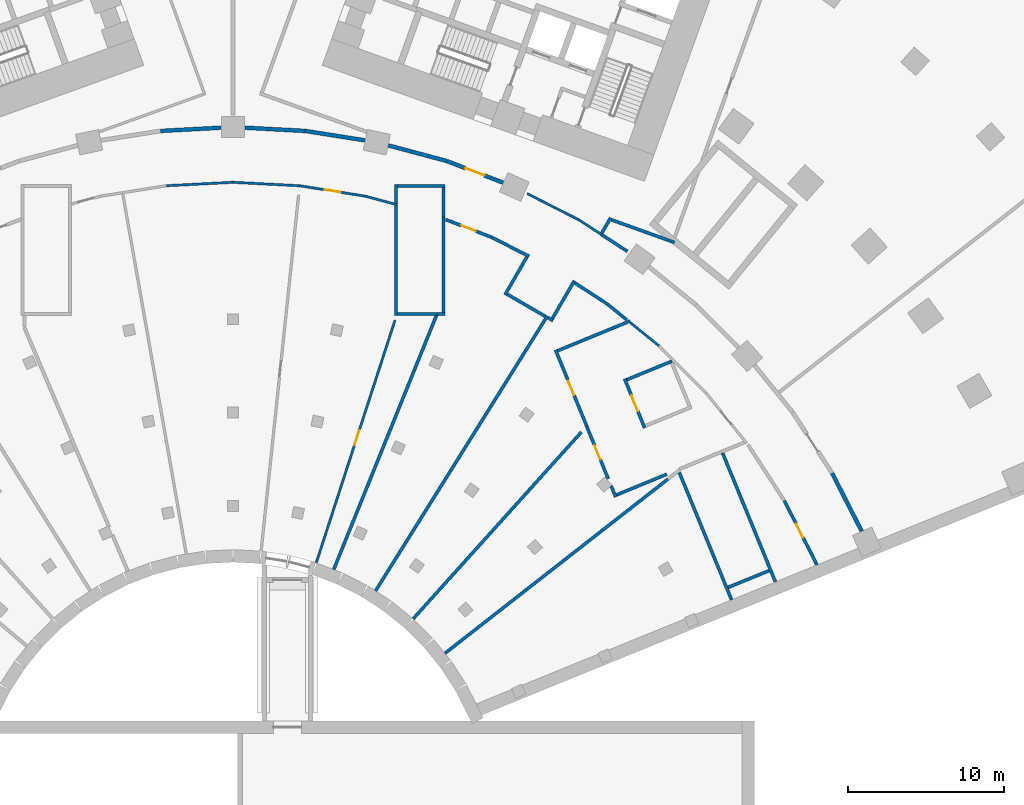
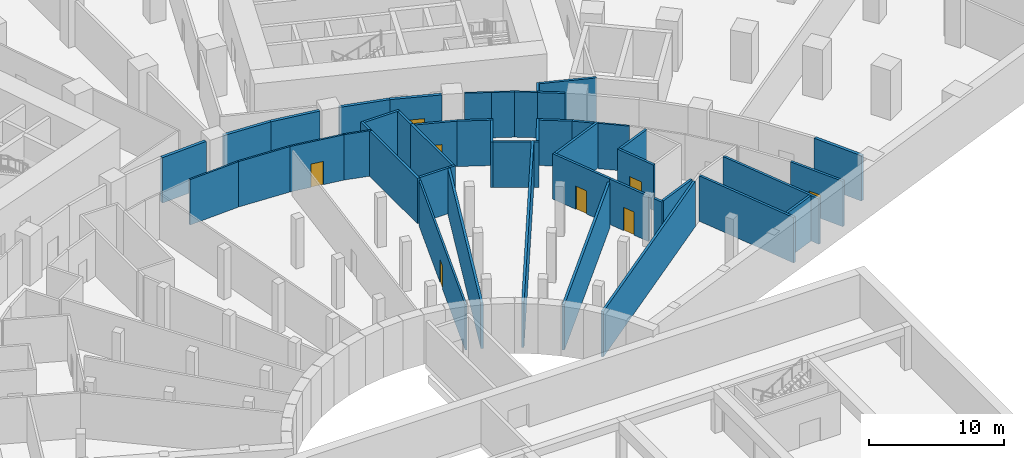
# One storey, part 10 of 23: 48 walls, 8 doors, 8 openings.
"""IFC4 building model written with IfcOpenShell, lengths in metres."""

import ifcopenshell
import ifcopenshell.guid

model = None  # the IFC model being written
_history = None  # IfcOwnerHistory: only IFC2X3 demands one
_inside = {}  # id of a spatial element -> (the spatial element, [elements in it])
_under = {}  # id of a project, library or spatial element -> (it, [spatial elements below it])
_declared = {}  # id of a project -> (the project, [libraries it declares])
_typed = {}  # id of a type object -> (the type object, [elements of that type])
_made_of = {}  # id of a material, layer set ... -> (it, [elements and type objects made of it])


def new_model(schema):
    """Start an empty IFC model of exactly this schema.

    Asked for "IFC4X3", IfcOpenShell would pick the latest addendum, in which some entities
    have other attributes; the version numbers below select the first issue.
    IFC2X3 requires an IfcOwnerHistory on every rooted entity: one is made here for all.
    """
    global model, _history
    if schema == "IFC4X3":
        model = ifcopenshell.file(schema_version=(4, 3, 0, 0))
    else:
        model = ifcopenshell.file(schema=schema)
    _inside.clear()
    _under.clear()
    _declared.clear()
    _typed.clear()
    _made_of.clear()
    _history = None
    if model.schema == "IFC2X3":
        org = make("IfcOrganization", Name="unknown")
        user = make(
            "IfcPersonAndOrganization",
            ThePerson=make("IfcPerson", FamilyName="unknown"),
            TheOrganization=org,
        )
        app = make(
            "IfcApplication",
            ApplicationDeveloper=org,
            Version="unknown",
            ApplicationFullName="unknown",
            ApplicationIdentifier="unknown",
        )
        _history = make(
            "IfcOwnerHistory",
            OwningUser=user,
            OwningApplication=app,
            ChangeAction="ADDED",
            CreationDate=0,
        )
    return model


def make(cls, **values):
    """One entity of the class cls with the attributes given. An attribute that is None is left unset."""
    return model.create_entity(
        cls, **{name: value for name, value in values.items() if value is not None}
    )


def rooted(cls, **values):
    """An entity with a GlobalId (a new one), such as an element, a storey or a relation."""
    return make(cls, GlobalId=ifcopenshell.guid.new(), OwnerHistory=_history, **values)


def si_unit(unit_type, name, prefix=None):
    """IfcSIUnit, for example si_unit("LENGTHUNIT", "METRE", prefix="MILLI")."""
    return make("IfcSIUnit", UnitType=unit_type, Prefix=prefix, Name=name)


def assignment(units):
    """IfcUnitAssignment: the units of a project."""
    return None if units is None else make("IfcUnitAssignment", Units=units)


def point(xyz):
    """IfcCartesianPoint."""
    return None if xyz is None else make("IfcCartesianPoint", Coordinates=xyz)


def direction(xyz):
    """IfcDirection."""
    return None if xyz is None else make("IfcDirection", DirectionRatios=xyz)


def frame(location, z_axis=None, x_axis=None):
    """IfcAxis2Placement3D, a coordinate frame: its origin and axes. An axis left out is left unset."""
    return make(
        "IfcAxis2Placement3D",
        Location=point(location),
        Axis=direction(z_axis),
        RefDirection=direction(x_axis),
    )


def frame_2d(location, x_axis=None):
    """IfcAxis2Placement2D, a coordinate frame in the plane: its origin and x axis."""
    return make(
        "IfcAxis2Placement2D", Location=point(location), RefDirection=direction(x_axis)
    )


def origin():
    """The frame at (0, 0, 0) with its axes left unset."""
    return frame((0.0, 0.0, 0.0))


def place(relative_to, where):
    """IfcLocalPlacement: puts the frame where relative to a parent placement (None: the world)."""
    return make(
        "IfcLocalPlacement", PlacementRelTo=relative_to, RelativePlacement=where
    )


def context(
    kind, dimensions, precision=None, world=None, true_north=None, identifier=None
):
    """IfcGeometricRepresentationContext, for example the 3D "Model" context."""
    return make(
        "IfcGeometricRepresentationContext",
        ContextIdentifier=identifier,
        ContextType=kind,
        CoordinateSpaceDimension=dimensions,
        Precision=precision,
        WorldCoordinateSystem=world,
        TrueNorth=true_north,
    )


def subcontext(parent, identifier, kind, view, scale=None):
    """IfcGeometricRepresentationSubContext, for example "Body" below "Model"."""
    return make(
        "IfcGeometricRepresentationSubContext",
        ContextIdentifier=identifier,
        ContextType=kind,
        ParentContext=parent,
        TargetScale=scale,
        TargetView=view,
    )


def project(units=None, contexts=None):
    """IfcProject with its units and contexts."""
    return rooted(
        "IfcProject",
        Name="project",
        RepresentationContexts=contexts,
        UnitsInContext=assignment(units),
    )


def spatial(cls, under=None, at=None, **own):
    """A site, building, storey or space (cls), placed at a placement, below another one or the project."""
    s = rooted(cls, ObjectPlacement=at, **own)
    if under is not None:
        _under.setdefault(under.id(), (under, []))[1].append(s)
    return s


def profile(cls, at=None, kind="AREA", **sizes):
    """A parametric profile (cls). Its sizes go by their IFC names, for example OverallWidth=200.0."""
    return make(cls, ProfileType=kind, Position=at, **sizes)


def rectangle(**sizes):
    """IfcRectangleProfileDef."""
    return profile("IfcRectangleProfileDef", **sizes)


def extrude(swept, where, along, depth):
    """IfcExtrudedAreaSolid: the profile swept, set in the frame where, extruded along a direction by depth."""
    return make(
        "IfcExtrudedAreaSolid",
        SweptArea=swept,
        Position=where,
        ExtrudedDirection=direction(along),
        Depth=depth,
    )


def shape(context_of_items, identifier, shape_type, items):
    """IfcShapeRepresentation: the items that make up one representation, for example the "Body"."""
    return make(
        "IfcShapeRepresentation",
        ContextOfItems=context_of_items,
        RepresentationIdentifier=identifier,
        RepresentationType=shape_type,
        Items=items,
    )


def material(Name=None, Category=None):
    """IfcMaterial."""
    return make("IfcMaterial", Name=Name, Category=Category)


def layer(
    of_material, thickness, ventilated=None, Name=None, Category=None, Priority=None
):
    """IfcMaterialLayer: one layer of a wall or slab, of a material (None: an air gap)."""
    return make(
        "IfcMaterialLayer",
        Material=of_material,
        LayerThickness=thickness,
        IsVentilated=ventilated,
        Name=Name,
        Category=Category,
        Priority=Priority,
    )


def layer_set(layers, Name=None):
    """IfcMaterialLayerSet."""
    return make("IfcMaterialLayerSet", MaterialLayers=layers, LayerSetName=Name)


def made_of(thing, what):
    """Note that an element or type object is made of a material, layer set ...; save() writes the relation."""
    if what is not None:
        _made_of.setdefault(what.id(), (what, []))[1].append(thing)
    return thing


def type_object(cls, material=None, **own):
    """A type object (cls), such as IfcWallType, which elements share."""
    return made_of(rooted(cls, **own), material)


def element(
    cls,
    number,
    at=None,
    inside=None,
    cuts=None,
    type_object=None,
    material=None,
    context=None,
    identifier="Body",
    shape_type=None,
    held_by="IfcProductDefinitionShape",
    body=None,
    shapes=None,
    **own,
):
    """One element of the class cls, such as IfcWall. Its Tag is "e" and its number.

    at: its placement. inside: the storey or other place that contains it. cuts: it is an
    opening in that element (IfcRelVoidsElement). A single representation is given by context,
    identifier, shape_type and body (its items); several are given by shapes. held_by: the class
    of the entity that holds the representations. save() writes the other relations.
    """
    e = rooted(cls, Tag="e%d" % number, ObjectPlacement=at, **own)
    if body is not None:
        shapes = [shape(context, identifier, shape_type, body)]
    if shapes is not None:
        e.Representation = make(held_by, Representations=shapes)
    if inside is not None:
        _inside.setdefault(inside.id(), (inside, []))[1].append(e)
    if cuts is not None:
        rooted(
            "IfcRelVoidsElement", RelatingBuildingElement=cuts, RelatedOpeningElement=e
        )
    if type_object is not None:
        _typed.setdefault(type_object.id(), (type_object, []))[1].append(e)
    return made_of(e, material)


def fill(opening, filler):
    """IfcRelFillsElement: the door or window that sits in an opening."""
    return rooted(
        "IfcRelFillsElement",
        RelatingOpeningElement=opening,
        RelatedBuildingElement=filler,
    )


def aggregate(whole, parts):
    """IfcRelAggregates: a whole, such as a stair, and the parts it consists of."""
    return rooted("IfcRelAggregates", RelatingObject=whole, RelatedObjects=parts)


def save(model, path):
    """Write the relations noted so far, then the file.

    IfcRelAggregates (storeys below a building ...), IfcRelContainedInSpatialStructure (elements
    in a storey), IfcRelDefinesByType, IfcRelAssociatesMaterial and IfcRelDeclares: one each for
    every whole, place, type object, material and project.
    """
    for whole, parts in _under.values():
        aggregate(whole, parts)
    for where, things in _inside.values():
        rooted(
            "IfcRelContainedInSpatialStructure",
            RelatedElements=things,
            RelatingStructure=where,
        )
    for kind, things in _typed.values():
        rooted("IfcRelDefinesByType", RelatedObjects=things, RelatingType=kind)
    for what, things in _made_of.values():
        rooted("IfcRelAssociatesMaterial", RelatedObjects=things, RelatingMaterial=what)
    for by, libraries in _declared.values():
        rooted("IfcRelDeclares", RelatingContext=by, RelatedDefinitions=libraries)
    model.write(path)


model = new_model("IFC4")

# Units and contexts
model_context = context("Model", 3, precision=1e-05, world=origin(), true_north=direction((0.0, 1.0)))
body_context = subcontext(model_context, "Body", "Model", "MODEL_VIEW")
ifc_project = project(units=[si_unit("LENGTHUNIT", "METRE"), si_unit("AREAUNIT", "SQUARE_METRE"), si_unit("VOLUMEUNIT", "CUBIC_METRE"), si_unit("PLANEANGLEUNIT", "RADIAN"), si_unit("MASSUNIT", "GRAM", prefix="KILO")], contexts=[model_context])

# Site, building, storey
site_placement = place(None, origin())
site = spatial("IfcSite", under=ifc_project, at=site_placement, CompositionType="ELEMENT")
building_placement = place(site_placement, origin())
building = spatial("IfcBuilding", under=site, at=building_placement, Name="Stone Belt Terrace Tower", CompositionType="ELEMENT")
storey_placement = place(building_placement, frame((0.0, 0.0, -4.5)))
storey = spatial("IfcBuildingStorey", under=building, at=storey_placement, Name="B1", CompositionType="ELEMENT", Elevation=-4.5)

# Walls
ifc_material_1 = material(Name="Concrete B30", Category="concrete")
ifc_layer_1 = layer(ifc_material_1, 0.25)
ifc_layer_set_1 = layer_set([ifc_layer_1], Name="Compartment wall 250")
wall_type_1 = type_object("IfcWallType", Name="Compartment wall 250", PredefinedType="SOLIDWALL", material=ifc_layer_set_1)
for number, where, z_axis, x_axis, name in (
    (1, (-4.6435546875, 44.2001953125, 0.0), (0.0, 0.0, 1.0), (0.998555259213, 0.053734479607, 0.0), "Compartment wall B1 9"),
    (2, (0.76904296875, 44.40869140625, 0.0), (0.0, 0.0, 1.0), (0.998555259213, -0.053734479607, 0.0), "Compartment wall B1 11"),
):
    element("IfcWall", number, at=place(storey_placement, frame(where, z_axis=z_axis, x_axis=x_axis)), inside=storey, type_object=wall_type_1, Name=name, PredefinedType="SOLIDWALL", context=body_context, shape_type="SweptSolid", body=[
        extrude(rectangle(XDim=3.880126953125, YDim=0.25, at=frame_2d((1.93994140625, 0.0))), origin(), (0.0, 0.0, 1.0), 4.10009765625),
    ])
wall_1_placement = place(storey_placement, frame((4.656494140625, 44.198974609375, 0.0), z_axis=(0.0, 0.0, 1.0), x_axis=(0.987762453966, -0.155965812071, 0.0)))
element("IfcWall", 3, at=wall_1_placement, inside=storey, type_object=wall_type_1, Name="Compartment wall B1 12", PredefinedType="SOLIDWALL", context=body_context, shape_type="SweptSolid", body=[
    extrude(rectangle(XDim=3.87109375, YDim=0.25, at=frame_2d((1.935546875, 0.0))), origin(), (0.0, 0.0, 1.0), 4.10009765625),
])
wall_2_placement = place(storey_placement, frame((38.492919921875, 22.214111328125, 0.0), z_axis=(0.0, 0.0, 1.0), x_axis=(0.454112038916, -0.890944586443, 0.0)))
element("IfcWall", 4, at=wall_2_placement, inside=storey, type_object=wall_type_1, Name="Compartment wall B1 19", PredefinedType="SOLIDWALL", context=body_context, shape_type="SweptSolid", body=[
    extrude(rectangle(XDim=4.18212890625, YDim=0.25, at=frame_2d((2.091064453125, 0.0))), origin(), (0.0, 0.0, 1.0), 4.10009765625),
])
ifc_material_2 = material(Name="Fire-resistant glazing in steel frame", Category="steel")
ifc_layer_2 = layer(ifc_material_2, 0.25)
ifc_layer_set_2 = layer_set([ifc_layer_2], Name="Glazed compartment fire screen 250")
wall_type_2 = type_object("IfcWallType", Name="Glazed compartment fire screen 250", PredefinedType="PARTITIONING", material=ifc_layer_set_2)
wall_3_placement = place(storey_placement, frame((9.9833984375, 43.271240234375, 0.0), z_axis=(0.0, 0.0, 1.0), x_axis=(0.966098739054, -0.258172861468, 0.0)))
element("IfcWall", 5, at=wall_3_placement, inside=storey, type_object=wall_type_2, Name="Compartment fire screen B1 13", PredefinedType="PARTITIONING", context=body_context, shape_type="SweptSolid", body=[
    extrude(rectangle(XDim=3.87158203125, YDim=0.25, at=frame_2d((1.935791015625, 0.0))), origin(), (0.0, 0.0, 1.0), 4.10009765625),
])

# Wall, opening, door
wall_4_placement = place(storey_placement, frame((13.736083984375, 42.267578125, 0.0), z_axis=(0.0, 0.0, 1.0), x_axis=(0.933580570159, -0.358367575294, 0.0)))
wall_4 = element("IfcWall", 6, at=wall_4_placement, inside=storey, type_object=wall_type_2, Name="Compartment fire screen B1 14", PredefinedType="PARTITIONING", context=body_context, shape_type="SweptSolid", body=[
    extrude(rectangle(XDim=3.8798828125, YDim=0.25, at=frame_2d((1.93994140625, 0.0))), origin(), (0.0, 0.0, 1.0), 4.10009765625),
])
opening_1_placement = place(wall_4_placement, frame((1.289794921875, 0.0, 0.0)))
opening_1 = element("IfcOpeningElement", 7, at=opening_1_placement, cuts=wall_4, Name="Opening B1-P23", PredefinedType="OPENING", context=body_context, shape_type="SweptSolid", body=[
    extrude(rectangle(XDim=1.300048828125, YDim=2.10009765625, at=frame_2d((0.64990234375, 1.050048828125))), frame((0.0, 0.135009765625, 0.0), z_axis=(0.0, -1.0, 0.0), x_axis=(1.0, 0.0, 0.0)), (0.0, 0.0, 1.0), 0.27001953125),
])
ifc_material_3 = material(Name="Steel framed fire door leaf", Category="steel")
door_type_1 = type_object("IfcDoorType", Name="Fire door 1300 x 2100 EI 60", OperationType="SINGLE_SWING_LEFT", PredefinedType="DOOR", material=ifc_material_3)
door_1_placement = place(opening_1_placement, origin())
door_1 = element("IfcDoor", 8, at=door_1_placement, inside=storey, type_object=door_type_1, Name="Fire door 1300 x 2100 EI 60", OperationType="SINGLE_SWING_LEFT", OverallHeight=2.10009765625, OverallWidth=1.300048828125, PredefinedType="DOOR", context=body_context, shape_type="SweptSolid", body=[
    extrude(rectangle(XDim=1.300048828125, YDim=2.10009765625, at=frame_2d((0.64990234375, 1.050048828125))), frame((0.0, 0.02490234375, 0.0), z_axis=(0.0, -1.0, 0.0), x_axis=(1.0, 0.0, 0.0)), (0.0, 0.0, 1.0), 0.050048828125),
])
fill(opening_1, door_1)

# Walls
ifc_material_4 = material(Name="Blockwork wall, plastered both faces", Category="masonry")
ifc_layer_3 = layer(ifc_material_4, 0.199951171875)
ifc_layer_set_3 = layer_set([ifc_layer_3], Name="Podium demising wall 200")
wall_type_3 = type_object("IfcWallType", Name="Podium demising wall 200", PredefinedType="PARTITIONING", material=ifc_layer_set_3)
wall_5_placement = place(storey_placement, frame((6.47216796875, 16.025634765625, 0.0), z_axis=(0.0, 0.0, 1.0), x_axis=(0.374899465367, 0.927065472805, 0.0)))
element("IfcWall", 9, at=wall_5_placement, inside=storey, type_object=wall_type_3, Name="Podium demising wall 200", PredefinedType="PARTITIONING", context=body_context, shape_type="SweptSolid", body=[
    extrude(rectangle(XDim=17.609619140625, YDim=0.199951171875, at=frame_2d((8.8046875, 0.0))), origin(), (0.0, 0.0, 1.0), 4.10009765625),
])
wall_6_placement = place(storey_placement, frame((9.162109375, 14.6533203125, 0.0), z_axis=(0.0, 0.0, 1.0), x_axis=(0.529867261277, 0.848080588993, 0.0)))
element("IfcWall", 10, at=wall_6_placement, inside=storey, type_object=wall_type_3, Name="Podium demising wall 200", PredefinedType="PARTITIONING", context=body_context, shape_type="SweptSolid", body=[
    extrude(rectangle(XDim=20.833251953125, YDim=0.199951171875, at=frame_2d((10.41650390625, 0.0))), origin(), (0.0, 0.0, 1.0), 4.10009765625),
])
wall_7_placement = place(storey_placement, frame((11.576416015625, 12.85595703125, 0.0), z_axis=(0.0, 0.0, 1.0), x_axis=(0.669233682488, 0.743052002368, 0.0)))
element("IfcWall", 11, at=wall_7_placement, inside=storey, type_object=wall_type_3, Name="Podium demising wall 200", PredefinedType="PARTITIONING", context=body_context, shape_type="SweptSolid", body=[
    extrude(rectangle(XDim=16.146240234375, YDim=0.199951171875, at=frame_2d((8.0732421875, 0.0))), origin(), (0.0, 0.0, 1.0), 4.10009765625),
])

# Wall, opening, door
wall_8_placement = place(storey_placement, frame((13.66552734375, 38.5078125, 0.0), z_axis=(0.0, 0.0, 1.0), x_axis=(0.932935786553, -0.360042800467, 0.0)))
wall_8 = element("IfcWall", 12, at=wall_8_placement, inside=storey, type_object=wall_type_3, Name="Podium demising wall 200", PredefinedType="PARTITIONING", context=body_context, shape_type="SweptSolid", body=[
    extrude(rectangle(XDim=3.182861328125, YDim=0.199951171875, at=frame_2d((1.59130859375, 0.0))), origin(), (0.0, 0.0, 1.0), 4.10009765625),
])
opening_2_placement = place(wall_8_placement, frame((1.072509765625, 0.0, 0.0)))
opening_2 = element("IfcOpeningElement", 13, at=opening_2_placement, cuts=wall_8, Name="Opening B1-P10", PredefinedType="OPENING", context=body_context, shape_type="SweptSolid", body=[
    extrude(rectangle(XDim=1.0, YDim=2.10009765625, at=frame_2d((0.5, 1.050048828125))), frame((0.0, 0.10986328125, 0.0), z_axis=(0.0, -1.0, 0.0), x_axis=(1.0, 0.0, 0.0)), (0.0, 0.0, 1.0), 0.219970703125),
])
ifc_material_5 = material(Name="Steel framed door leaf", Category="steel")
door_type_2 = type_object("IfcDoorType", Name="Podium door single 1000", OperationType="SINGLE_SWING_LEFT", PredefinedType="DOOR", material=ifc_material_5)
door_2_placement = place(opening_2_placement, origin())
door_2 = element("IfcDoor", 14, at=door_2_placement, inside=storey, type_object=door_type_2, Name="Podium door single 1000", OperationType="SINGLE_SWING_RIGHT", OverallHeight=2.10009765625, OverallWidth=1.0, PredefinedType="DOOR", context=body_context, shape_type="SweptSolid", body=[
    extrude(rectangle(XDim=1.0, YDim=2.10009765625, at=frame_2d((0.5, 1.050048828125))), frame((0.0, 0.02490234375, 0.0), z_axis=(0.0, -1.0, 0.0), x_axis=(1.0, 0.0, 0.0)), (0.0, 0.0, 1.0), 0.050048828125),
])
fill(opening_2, door_2)

# Walls
wall_9_placement = place(storey_placement, frame((13.61962890625, 10.639892578125, 0.0), z_axis=(0.0, 0.0, 1.0), x_axis=(0.787967745866, 0.61571651876, 0.0)))
element("IfcWall", 15, at=wall_9_placement, inside=storey, type_object=wall_type_3, Name="Podium demising wall 200", PredefinedType="PARTITIONING", context=body_context, shape_type="SweptSolid", body=[
    extrude(rectangle(XDim=18.171875, YDim=0.199951171875, at=frame_2d((9.0859375, 0.0))), origin(), (0.0, 0.0, 1.0), 4.10009765625),
])
wall_10_placement = place(storey_placement, frame((16.64453125, 37.357666015625, 0.0), z_axis=(0.0, 0.0, 1.0), x_axis=(0.890493210015, -0.454996530665, 0.0)))
element("IfcWall", 16, at=wall_10_placement, inside=storey, type_object=wall_type_3, Name="Podium demising wall 200", PredefinedType="PARTITIONING", context=body_context, shape_type="SweptSolid", body=[
    extrude(rectangle(XDim=2.666748046875, YDim=0.199951171875, at=frame_2d((1.33349609375, 0.0))), origin(), (0.0, 0.0, 1.0), 4.10009765625),
])
wall_11_placement = place(storey_placement, frame((17.47998046875, 33.67333984375, 0.0), z_axis=(0.0, 0.0, 1.0), x_axis=(0.499192280201, 0.866491239072, 0.0)))
element("IfcWall", 17, at=wall_11_placement, inside=storey, type_object=wall_type_3, Name="Podium demising wall 200", PredefinedType="PARTITIONING", context=body_context, shape_type="SweptSolid", body=[
    extrude(rectangle(XDim=2.804443359375, YDim=0.199951171875, at=frame_2d((1.40234375, 0.0))), origin(), (0.0, 0.0, 1.0), 4.10009765625),
])
wall_12_placement = place(storey_placement, frame((17.616455078125, 33.709716796875, 0.0), z_axis=(0.0, 0.0, 1.0), x_axis=(0.865006467721, -0.501760710698, 0.0)))
element("IfcWall", 18, at=wall_12_placement, inside=storey, type_object=wall_type_3, Name="Podium demising wall 200", PredefinedType="PARTITIONING", context=body_context, shape_type="SweptSolid", body=[
    extrude(rectangle(XDim=2.828857421875, YDim=0.199951171875, at=frame_2d((1.41455078125, 0.0))), origin(), (0.0, 0.0, 1.0), 4.10009765625),
])
wall_13_placement = place(storey_placement, frame((20.242919921875, 32.19482421875, 0.0), z_axis=(0.0, 0.0, 1.0), x_axis=(0.859615486831, -0.510941498413, 0.0)))
element("IfcWall", 19, at=wall_13_placement, inside=storey, type_object=wall_type_3, Name="Podium demising wall 200", PredefinedType="PARTITIONING", context=body_context, shape_type="SweptSolid", body=[
    extrude(rectangle(XDim=0.364013671875, YDim=0.199951171875, at=frame_2d((0.18212890625, 0.0))), origin(), (0.0, 0.0, 1.0), 4.10009765625),
])
wall_14_placement = place(storey_placement, frame((20.520263671875, 32.146484375, 0.0), z_axis=(0.0, 0.0, 1.0), x_axis=(0.501827324121, 0.864967824121, 0.0)))
element("IfcWall", 20, at=wall_14_placement, inside=storey, type_object=wall_type_3, Name="Podium demising wall 200", PredefinedType="PARTITIONING", context=body_context, shape_type="SweptSolid", body=[
    extrude(rectangle(XDim=2.8095703125, YDim=0.199951171875, at=frame_2d((1.40478515625, 0.0))), origin(), (0.0, 0.0, 1.0), 4.10009765625),
])

# Wall, opening, door
wall_15_placement = place(storey_placement, frame((20.72216796875, 30.132568359375, 0.0), z_axis=(0.0, 0.0, 1.0), x_axis=(0.378989902738, -0.925400807014, 0.0)))
wall_15 = element("IfcWall", 21, at=wall_15_placement, inside=storey, type_object=wall_type_3, Name="Podium demising wall 200", PredefinedType="PARTITIONING", context=body_context, shape_type="SweptSolid", body=[
    extrude(rectangle(XDim=5.2978515625, YDim=0.199951171875, at=frame_2d((2.64892578125, 0.0))), origin(), (0.0, 0.0, 1.0), 4.10009765625),
])
opening_3_placement = place(wall_15_placement, frame((2.14892578125, 0.0, 0.0)))
opening_3 = element("IfcOpeningElement", 22, at=opening_3_placement, cuts=wall_15, Name="Opening B1-P11", PredefinedType="OPENING", context=body_context, shape_type="SweptSolid", body=[
    extrude(rectangle(XDim=1.0, YDim=2.10009765625, at=frame_2d((0.5, 1.050048828125))), frame((0.0, 0.10986328125, 0.0), z_axis=(0.0, -1.0, 0.0), x_axis=(1.0, 0.0, 0.0)), (0.0, 0.0, 1.0), 0.219970703125),
])
door_3_placement = place(opening_3_placement, origin())
door_3 = element("IfcDoor", 23, at=door_3_placement, inside=storey, type_object=door_type_2, Name="Podium door single 1000", OperationType="SINGLE_SWING_LEFT", OverallHeight=2.10009765625, OverallWidth=1.0, PredefinedType="DOOR", context=body_context, shape_type="SweptSolid", body=[
    extrude(rectangle(XDim=1.0, YDim=2.10009765625, at=frame_2d((0.5, 1.050048828125))), frame((0.0, 0.02490234375, 0.0), z_axis=(0.0, -1.0, 0.0), x_axis=(1.0, 0.0, 0.0)), (0.0, 0.0, 1.0), 0.050048828125),
])
fill(opening_3, door_3)

# Walls
wall_16_placement = place(storey_placement, frame((20.8525390625, 30.077880859375, 0.0), z_axis=(0.0, 0.0, 1.0), x_axis=(0.92516251689, 0.379571228286, 0.0)))
element("IfcWall", 24, at=wall_16_placement, inside=storey, type_object=wall_type_3, Name="Podium demising wall 200", PredefinedType="PARTITIONING", context=body_context, shape_type="SweptSolid", body=[
    extrude(rectangle(XDim=5.0439453125, YDim=0.199951171875, at=frame_2d((2.52197265625, 0.0))), origin(), (0.0, 0.0, 1.0), 4.10009765625),
])
wall_17_placement = place(storey_placement, frame((21.964111328125, 34.435546875, 0.0), z_axis=(0.0, 0.0, 1.0), x_axis=(0.839147970585, -0.543903193099, 0.0)))
element("IfcWall", 25, at=wall_17_placement, inside=storey, type_object=wall_type_3, Name="Podium demising wall 200", PredefinedType="PARTITIONING", context=body_context, shape_type="SweptSolid", body=[
    extrude(rectangle(XDim=2.46826171875, YDim=0.199951171875, at=frame_2d((1.234130859375, 0.0))), origin(), (0.0, 0.0, 1.0), 4.10009765625),
])

# Wall, opening, door
wall_18_placement = place(storey_placement, frame((22.725341796875, 25.22705078125, 0.0), z_axis=(0.0, 0.0, 1.0), x_axis=(0.379629723962, -0.925138515404, 0.0)))
wall_18 = element("IfcWall", 26, at=wall_18_placement, inside=storey, type_object=wall_type_3, Name="Podium demising wall 200", PredefinedType="PARTITIONING", context=body_context, shape_type="SweptSolid", body=[
    extrude(rectangle(XDim=3.651611328125, YDim=0.199951171875, at=frame_2d((1.82568359375, 0.0))), origin(), (0.0, 0.0, 1.0), 4.10009765625),
])
opening_4_placement = place(wall_18_placement, frame((1.31884765625, 0.0, 0.0)))
opening_4 = element("IfcOpeningElement", 27, at=opening_4_placement, cuts=wall_18, Name="Opening B1-P12", PredefinedType="OPENING", context=body_context, shape_type="SweptSolid", body=[
    extrude(rectangle(XDim=1.0, YDim=2.10009765625, at=frame_2d((0.5, 1.050048828125))), frame((0.0, 0.10986328125, 0.0), z_axis=(0.0, -1.0, 0.0), x_axis=(1.0, 0.0, 0.0)), (0.0, 0.0, 1.0), 0.219970703125),
])
door_4_placement = place(opening_4_placement, origin())
door_4 = element("IfcDoor", 28, at=door_4_placement, inside=storey, type_object=door_type_2, Name="Podium door single 1000", OperationType="SINGLE_SWING_RIGHT", OverallHeight=2.10009765625, OverallWidth=1.0, PredefinedType="DOOR", context=body_context, shape_type="SweptSolid", body=[
    extrude(rectangle(XDim=1.0, YDim=2.10009765625, at=frame_2d((0.5, 1.050048828125))), frame((0.0, 0.02490234375, 0.0), z_axis=(0.0, -1.0, 0.0), x_axis=(1.0, 0.0, 0.0)), (0.0, 0.0, 1.0), 0.050048828125),
])
fill(opening_4, door_4)

# Walls
wall_19_placement = place(storey_placement, frame((24.297119140625, 21.39599609375, 0.0), z_axis=(0.0, 0.0, 1.0), x_axis=(0.379675292775, -0.925119814973, 0.0)))
element("IfcWall", 29, at=wall_19_placement, inside=storey, type_object=wall_type_3, Name="Podium demising wall 200", PredefinedType="PARTITIONING", context=body_context, shape_type="SweptSolid", body=[
    extrude(rectangle(XDim=0.765869140625, YDim=0.199951171875, at=frame_2d((0.3828125, 0.0))), origin(), (0.0, 0.0, 1.0), 4.10009765625),
])
wall_20_placement = place(storey_placement, frame((23.7001953125, 37.646728515625, 0.0), z_axis=(0.0, 0.0, 1.0), x_axis=(0.499885795235, 0.866091329897, 0.0)))
element("IfcWall", 30, at=wall_20_placement, inside=storey, type_object=wall_type_3, Name="Podium demising wall 200", PredefinedType="PARTITIONING", context=body_context, shape_type="SweptSolid", body=[
    extrude(rectangle(XDim=1.121337890625, YDim=0.199951171875, at=frame_2d((0.560546875, 0.0))), origin(), (0.0, 0.0, 1.0), 4.10009765625),
])
wall_21_placement = place(storey_placement, frame((23.650146484375, 37.56005859375, 0.0), z_axis=(0.0, 0.0, 1.0), x_axis=(0.839274651995, -0.543707695843, 0.0)))
element("IfcWall", 31, at=wall_21_placement, inside=storey, type_object=wall_type_3, Name="Podium demising wall 200", PredefinedType="PARTITIONING", context=body_context, shape_type="SweptSolid", body=[
    extrude(rectangle(XDim=2.017822265625, YDim=0.199951171875, at=frame_2d((1.0087890625, 0.0))), origin(), (0.0, 0.0, 1.0), 4.10009765625),
])
wall_22_placement = place(storey_placement, frame((24.044189453125, 33.086669921875, 0.0), z_axis=(0.0, 0.0, 1.0), x_axis=(0.775450599171, -0.631408242143, 0.0)))
element("IfcWall", 32, at=wall_22_placement, inside=storey, type_object=wall_type_3, Name="Podium demising wall 200", PredefinedType="PARTITIONING", context=body_context, shape_type="SweptSolid", body=[
    extrude(rectangle(XDim=1.6220703125, YDim=0.199951171875, at=frame_2d((0.81103515625, 0.0))), origin(), (0.0, 0.0, 1.0), 4.10009765625),
])
wall_23_placement = place(storey_placement, frame((24.32080078125, 38.490234375, 0.0), z_axis=(0.0, 0.0, 1.0), x_axis=(0.940995289831, -0.338419657402, 0.0)))
element("IfcWall", 33, at=wall_23_placement, inside=storey, type_object=wall_type_3, Name="Podium demising wall 200", PredefinedType="PARTITIONING", context=body_context, shape_type="SweptSolid", body=[
    extrude(rectangle(XDim=4.296630859375, YDim=0.199951171875, at=frame_2d((2.1484375, 0.0))), origin(), (0.0, 0.0, 1.0), 4.10009765625),
])
wall_24_placement = place(storey_placement, frame((24.642578125, 20.818115234375, 0.0), z_axis=(0.0, 0.0, 1.0), x_axis=(0.924675204157, 0.380756834236, 0.0)))
element("IfcWall", 34, at=wall_24_placement, inside=storey, type_object=wall_type_3, Name="Podium demising wall 200", PredefinedType="PARTITIONING", context=body_context, shape_type="SweptSolid", body=[
    extrude(rectangle(XDim=3.493896484375, YDim=0.199951171875, at=frame_2d((1.7470703125, 0.0))), origin(), (0.0, 0.0, 1.0), 4.10009765625),
])

# Wall, opening, door
wall_25_placement = place(storey_placement, frame((35.426025390625, 20.438232421875, 0.0), z_axis=(0.0, 0.0, 1.0), x_axis=(0.453694492296, -0.89115728559, 0.0)))
wall_25 = element("IfcWall", 35, at=wall_25_placement, inside=storey, type_object=wall_type_3, Name="Podium demising wall 200", PredefinedType="PARTITIONING", context=body_context, shape_type="SweptSolid", body=[
    extrude(rectangle(XDim=4.61767578125, YDim=0.199951171875, at=frame_2d((2.308837890625, 0.0))), origin(), (0.0, 0.0, 1.0), 4.10009765625),
])
opening_5_placement = place(wall_25_placement, frame((1.6494140625, 0.0, 0.0)))
opening_5 = element("IfcOpeningElement", 36, at=opening_5_placement, cuts=wall_25, Name="Opening B1-P13", PredefinedType="OPENING", context=body_context, shape_type="SweptSolid", body=[
    extrude(rectangle(XDim=1.0, YDim=2.10009765625, at=frame_2d((0.5, 1.050048828125))), frame((0.0, 0.10986328125, 0.0), z_axis=(0.0, -1.0, 0.0), x_axis=(1.0, 0.0, 0.0)), (0.0, 0.0, 1.0), 0.219970703125),
])
door_5_placement = place(opening_5_placement, origin())
door_5 = element("IfcDoor", 37, at=door_5_placement, inside=storey, type_object=door_type_2, Name="Podium door single 1000", OperationType="SINGLE_SWING_LEFT", OverallHeight=2.10009765625, OverallWidth=1.0, PredefinedType="DOOR", context=body_context, shape_type="SweptSolid", body=[
    extrude(rectangle(XDim=1.0, YDim=2.10009765625, at=frame_2d((0.5, 1.050048828125))), frame((0.0, 0.02490234375, 0.0), z_axis=(0.0, -1.0, 0.0), x_axis=(1.0, 0.0, 0.0)), (0.0, 0.0, 1.0), 0.050048828125),
])
fill(opening_5, door_5)

ifc_material_6 = material(Name="Reinforced blockwork wall, plastered both faces", Category="masonry")
ifc_layer_4 = layer(ifc_material_6, 0.199951171875)
ifc_layer_set_4 = layer_set([ifc_layer_4], Name="Podium lift shaft wall 200")
wall_type_4 = type_object("IfcWallType", Name="Podium lift shaft wall 200", PredefinedType="SOLIDWALL", material=ifc_layer_set_4)
wall_26_placement = place(storey_placement, frame((25.162109375, 28.272705078125, 0.0), z_axis=(0.0, 0.0, 1.0), x_axis=(0.378367045219, -0.925655648226, 0.0)))
wall_26 = element("IfcWall", 38, at=wall_26_placement, inside=storey, type_object=wall_type_4, Name="Podium lift shaft wall 200", PredefinedType="SOLIDWALL", context=body_context, shape_type="SweptSolid", body=[
    extrude(rectangle(XDim=3.39794921875, YDim=0.199951171875, at=frame_2d((1.698974609375, 0.0))), origin(), (0.0, 0.0, 1.0), 4.10009765625),
])
opening_6_placement = place(wall_26_placement, frame((1.14892578125, 0.0, 0.0)))
opening_6 = element("IfcOpeningElement", 39, at=opening_6_placement, cuts=wall_26, Name="Opening B1-P02", PredefinedType="OPENING", context=body_context, shape_type="SweptSolid", body=[
    extrude(rectangle(XDim=1.10009765625, YDim=2.10009765625, at=frame_2d((0.550048828125, 1.050048828125))), frame((0.0, 0.10986328125, 0.0), z_axis=(0.0, -1.0, 0.0), x_axis=(1.0, 0.0, 0.0)), (0.0, 0.0, 1.0), 0.219970703125),
])
ifc_material_7 = material(Name="Stainless steel sliding landing door leaf", Category="steel")
door_type_3 = type_object("IfcDoorType", Name="Podium landing door 1100", OperationType="SLIDING_TO_LEFT", PredefinedType="DOOR", material=ifc_material_7)
door_6_placement = place(opening_6_placement, origin())
door_6 = element("IfcDoor", 40, at=door_6_placement, inside=storey, type_object=door_type_3, Name="Podium landing door 1100", OperationType="SLIDING_TO_LEFT", OverallHeight=2.10009765625, OverallWidth=1.10009765625, PredefinedType="DOOR", context=body_context, shape_type="SweptSolid", body=[
    extrude(rectangle(XDim=1.10009765625, YDim=2.10009765625, at=frame_2d((0.550048828125, 1.050048828125))), frame((0.0, 0.02490234375, 0.0), z_axis=(0.0, -1.0, 0.0), x_axis=(1.0, 0.0, 0.0)), (0.0, 0.0, 1.0), 0.050048828125),
])
fill(opening_6, door_6)

# Walls
wall_27_placement = place(storey_placement, frame((25.29248046875, 28.2177734375, 0.0), z_axis=(0.0, 0.0, 1.0), x_axis=(0.925658526615, 0.37836000331, 0.0)))
element("IfcWall", 41, at=wall_27_placement, inside=storey, type_object=wall_type_4, Name="Podium lift shaft wall 200", PredefinedType="SOLIDWALL", context=body_context, shape_type="SweptSolid", body=[
    extrude(rectangle(XDim=3.135986328125, YDim=0.199951171875, at=frame_2d((1.56787109375, 0.0))), origin(), (0.0, 0.0, 1.0), 4.10009765625),
])
ifc_material_8 = material(Name="Gypsum board on steel stud partition", Category="steel")
ifc_layer_5 = layer(ifc_material_8, 0.14990234375)
ifc_layer_set_5 = layer_set([ifc_layer_5], Name="Podium partition 150")
wall_type_5 = type_object("IfcWallType", Name="Podium partition 150", PredefinedType="PARTITIONING", material=ifc_layer_set_5)
for number, where, z_axis, x_axis, name in (
    (42, (-4.27587890625, 40.68017578125, 0.0), (0.0, 0.0, 1.0), (0.998679867428, 0.051366549359, 0.0), "Podium partition 150"),
    (43, (0.00390625, 40.89990234375, 0.0), (0.0, 0.0, 1.0), (0.998679867428, -0.051366549359, 0.0), "Podium partition 150"),
):
    element("IfcWall", number, at=place(storey_placement, frame(where, z_axis=z_axis, x_axis=x_axis)), inside=storey, type_object=wall_type_5, Name=name, PredefinedType="PARTITIONING", context=body_context, shape_type="SweptSolid", body=[
        extrude(rectangle(XDim=4.277587890625, YDim=0.14990234375, at=frame_2d((2.138671875, 0.0))), origin(), (0.0, 0.0, 1.0), 4.10009765625),
    ])

# Wall, opening, door
wall_28_placement = place(storey_placement, frame((4.283935546875, 40.679443359375, 0.0), z_axis=(0.0, 0.0, 1.0), x_axis=(0.987622863855, -0.156847310437, 0.0)))
wall_28 = element("IfcWall", 44, at=wall_28_placement, inside=storey, type_object=wall_type_5, Name="Podium partition 150", PredefinedType="PARTITIONING", context=body_context, shape_type="SweptSolid", body=[
    extrude(rectangle(XDim=4.264892578125, YDim=0.14990234375, at=frame_2d((2.13232421875, 0.0))), origin(), (0.0, 0.0, 1.0), 4.10009765625),
])
opening_7_placement = place(wall_28_placement, frame((1.632568359375, 0.0, 0.0)))
opening_7 = element("IfcOpeningElement", 45, at=opening_7_placement, cuts=wall_28, Name="Opening B1-P26", PredefinedType="OPENING", context=body_context, shape_type="SweptSolid", body=[
    extrude(rectangle(XDim=1.0, YDim=2.10009765625, at=frame_2d((0.5, 1.050048828125))), frame((0.0, 0.0849609375, 0.0), z_axis=(0.0, -1.0, 0.0), x_axis=(1.0, 0.0, 0.0)), (0.0, 0.0, 1.0), 0.169921875),
])
door_7_placement = place(opening_7_placement, origin())
door_7 = element("IfcDoor", 46, at=door_7_placement, inside=storey, type_object=door_type_2, Name="Podium door single 1000", OperationType="SINGLE_SWING_RIGHT", OverallHeight=2.10009765625, OverallWidth=1.0, PredefinedType="DOOR", context=body_context, shape_type="SweptSolid", body=[
    extrude(rectangle(XDim=1.0, YDim=2.10009765625, at=frame_2d((0.5, 1.050048828125))), frame((0.0, 0.02490234375, 0.0), z_axis=(0.0, -1.0, 0.0), x_axis=(1.0, 0.0, 0.0)), (0.0, 0.0, 1.0), 0.050048828125),
])
fill(opening_7, door_7)

wall_29_placement = place(storey_placement, frame((5.3505859375, 16.451904296875, 0.0), z_axis=(0.0, 0.0, 1.0), x_axis=(0.308721373716, 0.95115251848, 0.0)))
wall_29 = element("IfcWall", 47, at=wall_29_placement, inside=storey, type_object=wall_type_5, Name="Podium partition 150", PredefinedType="PARTITIONING", context=body_context, shape_type="SweptSolid", body=[
    extrude(rectangle(XDim=16.394287109375, YDim=0.14990234375, at=frame_2d((8.197265625, 0.0))), origin(), (0.0, 0.0, 1.0), 4.10009765625),
])
opening_8_placement = place(wall_29_placement, frame((7.956298828125, 0.0, 0.0)))
opening_8 = element("IfcOpeningElement", 48, at=opening_8_placement, cuts=wall_29, Name="Opening B1-P09", PredefinedType="OPENING", context=body_context, shape_type="SweptSolid", body=[
    extrude(rectangle(XDim=1.0, YDim=2.10009765625, at=frame_2d((0.5, 1.050048828125))), frame((0.0, 0.0849609375, 0.0), z_axis=(0.0, -1.0, 0.0), x_axis=(1.0, 0.0, 0.0)), (0.0, 0.0, 1.0), 0.169921875),
])
door_8_placement = place(opening_8_placement, origin())
door_8 = element("IfcDoor", 49, at=door_8_placement, inside=storey, type_object=door_type_2, Name="Podium door single 1000", OperationType="SINGLE_SWING_LEFT", OverallHeight=2.10009765625, OverallWidth=1.0, PredefinedType="DOOR", context=body_context, shape_type="SweptSolid", body=[
    extrude(rectangle(XDim=1.0, YDim=2.10009765625, at=frame_2d((0.5, 1.050048828125))), frame((0.0, 0.02490234375, 0.0), z_axis=(0.0, -1.0, 0.0), x_axis=(1.0, 0.0, 0.0)), (0.0, 0.0, 1.0), 0.050048828125),
])
fill(opening_8, door_8)

# Walls
wall_30_placement = place(storey_placement, frame((8.50390625, 40.009033203125, 0.0), z_axis=(0.0, 0.0, 1.0), x_axis=(0.965658711238, -0.259813882251, 0.0)))
element("IfcWall", 50, at=wall_30_placement, inside=storey, type_object=wall_type_5, Name="Podium partition 150", PredefinedType="PARTITIONING", context=body_context, shape_type="SweptSolid", body=[
    extrude(rectangle(XDim=2.1396484375, YDim=0.14990234375, at=frame_2d((1.06982421875, 0.0))), origin(), (0.0, 0.0, 1.0), 4.10009765625),
])
wall_31_placement = place(storey_placement, frame((18.90478515625, 40.177978515625, 0.0), z_axis=(0.0, 0.0, 1.0), x_axis=(0.890346339872, -0.455283862086, 0.0)))
element("IfcWall", 51, at=wall_31_placement, inside=storey, type_object=wall_type_5, Name="Podium partition 150", PredefinedType="PARTITIONING", context=body_context, shape_type="SweptSolid", body=[
    extrude(rectangle(XDim=2.016357421875, YDim=0.14990234375, at=frame_2d((1.00830078125, 0.0))), origin(), (0.0, 0.0, 1.0), 4.10009765625),
])
wall_32_placement = place(storey_placement, frame((20.7001953125, 39.260009765625, 0.0), z_axis=(0.0, 0.0, 1.0), x_axis=(0.892001026829, -0.452033370601, 0.0)))
element("IfcWall", 52, at=wall_32_placement, inside=storey, type_object=wall_type_5, Name="Podium partition 150", PredefinedType="PARTITIONING", context=body_context, shape_type="SweptSolid", body=[
    extrude(rectangle(XDim=1.69970703125, YDim=0.14990234375, at=frame_2d((0.849853515625, 0.0))), origin(), (0.0, 0.0, 1.0), 4.10009765625),
])
wall_33_placement = place(storey_placement, frame((22.223388671875, 38.48779296875, 0.0), z_axis=(0.0, 0.0, 1.0), x_axis=(0.838309195753, -0.545195095646, 0.0)))
element("IfcWall", 53, at=wall_33_placement, inside=storey, type_object=wall_type_5, Name="Podium partition 150", PredefinedType="PARTITIONING", context=body_context, shape_type="SweptSolid", body=[
    extrude(rectangle(XDim=1.70166015625, YDim=0.14990234375, at=frame_2d((0.850830078125, 0.0))), origin(), (0.0, 0.0, 1.0), 4.10009765625),
])
wall_34_placement = place(storey_placement, frame((25.5283203125, 31.88818359375, 0.0), z_axis=(0.0, 0.0, 1.0), x_axis=(0.775707405482, -0.631092719876, 0.0)))
element("IfcWall", 54, at=wall_34_placement, inside=storey, type_object=wall_type_5, Name="Podium partition 150", PredefinedType="PARTITIONING", context=body_context, shape_type="SweptSolid", body=[
    extrude(rectangle(XDim=2.370361328125, YDim=0.14990234375, at=frame_2d((1.18505859375, 0.0))), origin(), (0.0, 0.0, 1.0), 4.10009765625),
])
ifc_layer_6 = layer(ifc_material_1, 0.199951171875)
ifc_layer_set_6 = layer_set([ifc_layer_6], Name="Podium stair and shaft wall 200")
wall_type_6 = type_object("IfcWallType", Name="Podium stair and shaft wall 200", PredefinedType="SOLIDWALL", material=ifc_layer_set_6)
wall_35_placement = place(storey_placement, frame((10.469970703125, 32.340087890625, 0.0), z_axis=(0.0, 0.0, 1.0), x_axis=(0.0, 1.0, 0.0)))
element("IfcWall", 55, at=wall_35_placement, inside=storey, type_object=wall_type_6, Name="Podium stair and shaft wall 200", PredefinedType="SOLIDWALL", context=body_context, shape_type="SweptSolid", body=[
    extrude(rectangle(XDim=7.243896484375, YDim=0.199951171875, at=frame_2d((3.6220703125, 0.0))), origin(), (0.0, 0.0, 1.0), 4.10009765625),
])
wall_36_placement = place(storey_placement, frame((10.469970703125, 39.583984375, 0.0), z_axis=(0.0, 0.0, 1.0), x_axis=(0.0, 1.0, 0.0)))
element("IfcWall", 56, at=wall_36_placement, inside=storey, type_object=wall_type_6, Name="Podium stair and shaft wall 200", PredefinedType="SOLIDWALL", context=body_context, shape_type="SweptSolid", body=[
    extrude(rectangle(XDim=1.176025390625, YDim=0.199951171875, at=frame_2d((0.587890625, 0.0))), origin(), (0.0, 0.0, 1.0), 4.10009765625),
])
wall_37_placement = place(storey_placement, frame((10.570068359375, 40.659912109375, 0.0), z_axis=(0.0, 0.0, 1.0), x_axis=(1.0, 0.0, 0.0)))
element("IfcWall", 57, at=wall_37_placement, inside=storey, type_object=wall_type_6, Name="Podium stair and shaft wall 200", PredefinedType="SOLIDWALL", context=body_context, shape_type="SweptSolid", body=[
    extrude(rectangle(XDim=3.059814453125, YDim=0.199951171875, at=frame_2d((1.52978515625, 0.0))), origin(), (0.0, 0.0, 1.0), 4.10009765625),
])
wall_38_placement = place(storey_placement, frame((10.57080078125, 32.43994140625, 0.0), z_axis=(0.0, 0.0, 1.0), x_axis=(1.0, 0.0, 0.0)))
element("IfcWall", 58, at=wall_38_placement, inside=storey, type_object=wall_type_6, Name="Podium stair and shaft wall 200", PredefinedType="SOLIDWALL", context=body_context, shape_type="SweptSolid", body=[
    extrude(rectangle(XDim=2.529296875, YDim=0.199951171875, at=frame_2d((1.2646484375, 0.0))), origin(), (0.0, 0.0, 1.0), 4.10009765625),
])
wall_39_placement = place(storey_placement, frame((13.10009765625, 32.43994140625, 0.0), z_axis=(0.0, 0.0, 1.0), x_axis=(1.0, 0.0, 0.0)))
element("IfcWall", 59, at=wall_39_placement, inside=storey, type_object=wall_type_6, Name="Podium stair and shaft wall 200", PredefinedType="SOLIDWALL", context=body_context, shape_type="SweptSolid", body=[
    extrude(rectangle(XDim=0.52978515625, YDim=0.199951171875, at=frame_2d((0.264892578125, 0.0))), origin(), (0.0, 0.0, 1.0), 4.10009765625),
])
wall_40_placement = place(storey_placement, frame((13.530029296875, 32.5400390625, 0.0), z_axis=(0.0, 0.0, 1.0), x_axis=(0.0, 1.0, 0.0)))
element("IfcWall", 60, at=wall_40_placement, inside=storey, type_object=wall_type_6, Name="Podium stair and shaft wall 200", PredefinedType="SOLIDWALL", context=body_context, shape_type="SweptSolid", body=[
    extrude(rectangle(XDim=6.127197265625, YDim=0.199951171875, at=frame_2d((3.0634765625, 0.0))), origin(), (0.0, 0.0, 1.0), 4.10009765625),
])
wall_41_placement = place(storey_placement, frame((13.530029296875, 38.66796875, 0.0), z_axis=(0.0, 0.0, 1.0), x_axis=(0.0, 1.0, 0.0)))
element("IfcWall", 61, at=wall_41_placement, inside=storey, type_object=wall_type_6, Name="Podium stair and shaft wall 200", PredefinedType="SOLIDWALL", context=body_context, shape_type="SweptSolid", body=[
    extrude(rectangle(XDim=1.89208984375, YDim=0.199951171875, at=frame_2d((0.946044921875, 0.0))), origin(), (0.0, 0.0, 1.0), 4.10009765625),
])
wall_42_placement = place(storey_placement, frame((28.68017578125, 22.248046875, 0.0), z_axis=(0.0, 0.0, 1.0), x_axis=(0.379621882017, -0.9251417333, 0.0)))
element("IfcWall", 62, at=wall_42_placement, inside=storey, type_object=wall_type_6, Name="Podium stair and shaft wall 200", PredefinedType="SOLIDWALL", context=body_context, shape_type="SweptSolid", body=[
    extrude(rectangle(XDim=8.831298828125, YDim=0.199951171875, at=frame_2d((4.41552734375, 0.0))), origin(), (0.0, 0.0, 1.0), 4.10009765625),
])
wall_43_placement = place(storey_placement, frame((31.4580078125, 23.507568359375, 0.0), z_axis=(0.0, 0.0, 1.0), x_axis=(0.379340202358, -0.925257267399, 0.0)))
element("IfcWall", 63, at=wall_43_placement, inside=storey, type_object=wall_type_6, Name="Podium stair and shaft wall 200", PredefinedType="SOLIDWALL", context=body_context, shape_type="SweptSolid", body=[
    extrude(rectangle(XDim=8.94921875, YDim=0.199951171875, at=frame_2d((4.474609375, 0.0))), origin(), (0.0, 0.0, 1.0), 4.10009765625),
])
wall_44_placement = place(storey_placement, frame((31.8125, 14.877685546875, 0.0), z_axis=(0.0, 0.0, 1.0), x_axis=(0.925976847494, 0.377580293322, 0.0)))
element("IfcWall", 64, at=wall_44_placement, inside=storey, type_object=wall_type_6, Name="Podium stair and shaft wall 200", PredefinedType="SOLIDWALL", context=body_context, shape_type="SweptSolid", body=[
    extrude(rectangle(XDim=2.845703125, YDim=0.199951171875, at=frame_2d((1.4228515625, 0.0))), origin(), (0.0, 0.0, 1.0), 4.10009765625),
])

save(model, "model.ifc")
